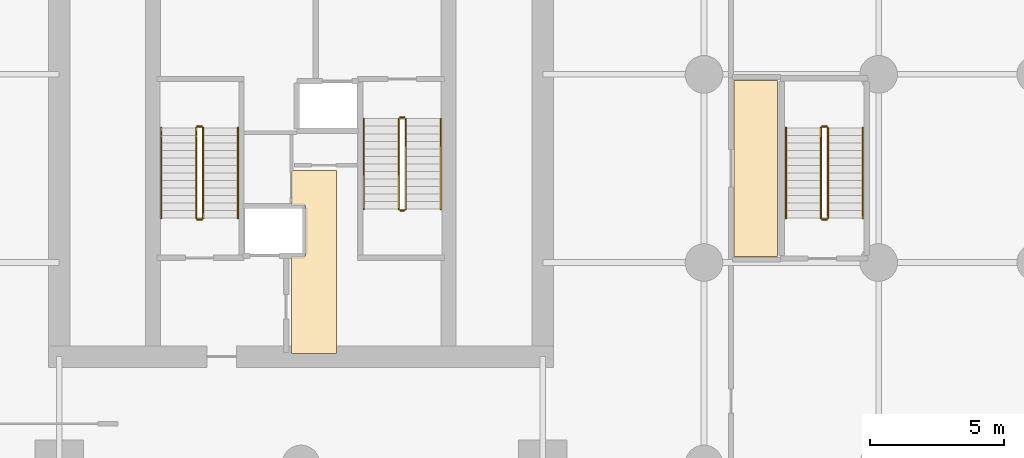
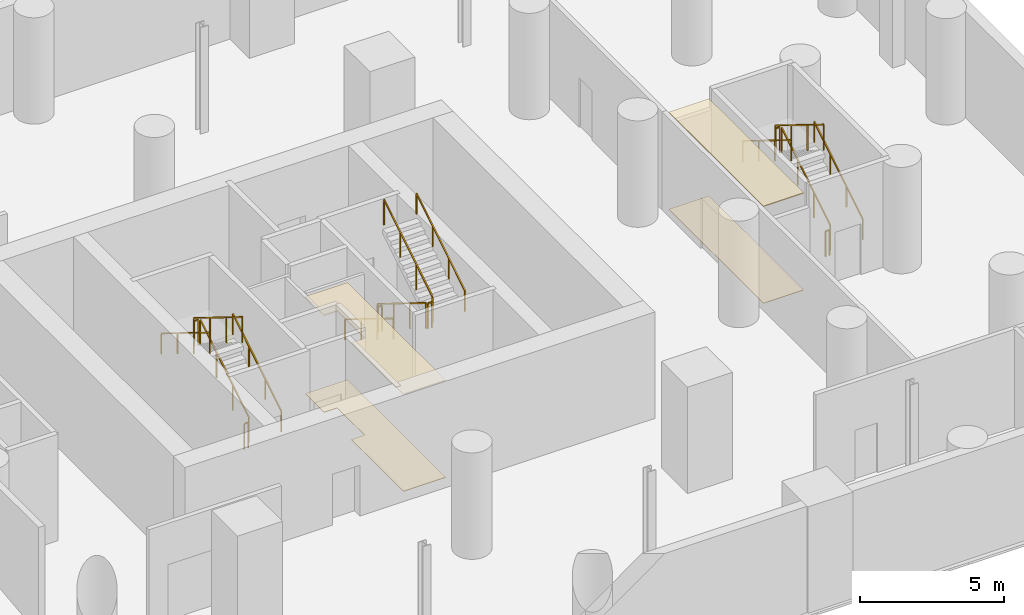
# One storey, part 8 of 8: 18 railings, 4 coverings.
"""IFC4 building model written with IfcOpenShell, lengths in metres."""

from ifc_helpers import new_model, si_unit, direction, frame, origin, origin_2d, place, context, subcontext, project, spatial, polyline, rectangle, outline, extrude, material, layer, layer_set, type_object, element, save


model = new_model("IFC4")

# Units and contexts
model_context = context("Model", 3, precision=1e-05, world=origin(), true_north=direction((0.0, 1.0)))
body_context = subcontext(model_context, "Body", "Model", "MODEL_VIEW")
ifc_project = project(units=[si_unit("LENGTHUNIT", "METRE"), si_unit("AREAUNIT", "SQUARE_METRE"), si_unit("VOLUMEUNIT", "CUBIC_METRE"), si_unit("PLANEANGLEUNIT", "RADIAN"), si_unit("MASSUNIT", "GRAM", prefix="KILO")], contexts=[model_context])

# Site, building, storey
site_placement = place(None, origin())
site = spatial("IfcSite", under=ifc_project, at=site_placement, CompositionType="ELEMENT")
building_placement = place(site_placement, origin())
building = spatial("IfcBuilding", under=site, at=building_placement, Name="Veldorim Arch Residences", CompositionType="ELEMENT")
storey_placement = place(building_placement, frame((0.0, 0.0, -4.5)))
storey = spatial("IfcBuildingStorey", under=building, at=storey_placement, Name="B1", CompositionType="ELEMENT", Elevation=-4.5)

# Railings
ifc_material_1 = material(Name="Steel S355", Category="steel")
railing_type_1 = type_object("IfcRailingType", Name="Galvanised Steel Stair Safety Guardrail 1100", PredefinedType="GUARDRAIL", material=ifc_material_1)
railing_1_placement = place(storey_placement, frame((28.360107421875, 22.14990234375, 0.173095703125)))
element("IfcRailing", 1, at=railing_1_placement, inside=storey, type_object=railing_type_1, Name="B1 ST-1 stair guard 1", PredefinedType="GUARDRAIL", context=body_context, shape_type="SweptSolid", body=[
    extrude(rectangle(XDim=0.048095703125, YDim=0.048095703125, at=origin_2d()), frame((0.0, 0.0, 1.076171875), z_axis=(0.0, 0.850623216509, 0.525775754039), x_axis=(-1.0, 0.0, 0.0)), (0.0, 0.0, 1.0), 3.9501953125),
    extrude(rectangle(XDim=0.0419921875, YDim=0.0419921875, at=origin_2d()), origin(), (0.0, 0.0, 1.0), 1.052001953125),
    extrude(rectangle(XDim=0.0419921875, YDim=0.0419921875, at=origin_2d()), frame((0.0, 1.1201171875, 0.6923828125)), (0.0, 0.0, 1.0), 1.052001953125),
    extrude(rectangle(XDim=0.0419921875, YDim=0.0419921875, at=origin_2d()), frame((0.0, 2.239990234375, 1.384521484375)), (0.0, 0.0, 1.0), 1.052001953125),
    extrude(rectangle(XDim=0.0419921875, YDim=0.0419921875, at=origin_2d()), frame((0.0, 3.360107421875, 2.076904296875)), (0.0, 0.0, 1.0), 1.052001953125),
])
railing_2_placement = place(storey_placement, frame((28.31005859375, 25.56005859375, 2.25)))
element("IfcRailing", 2, at=railing_2_placement, inside=storey, type_object=railing_type_1, Name="B1 ST-1 stair guard 2", PredefinedType="GUARDRAIL", context=body_context, shape_type="SweptSolid", body=[
    extrude(rectangle(XDim=0.048095703125, YDim=0.048095703125, at=origin_2d()), frame((0.0, 0.0, 1.076171875), z_axis=(-1.0, 0.0, 0.0), x_axis=(0.0, -1.0, 0.0)), (0.0, 0.0, 1.0), 0.16015625),
    extrude(rectangle(XDim=0.0419921875, YDim=0.0419921875, at=origin_2d()), origin(), (0.0, 0.0, 1.0), 1.052001953125),
    extrude(rectangle(XDim=0.0419921875, YDim=0.0419921875, at=origin_2d()), frame((-0.16015625, 0.0, 0.0)), (0.0, 0.0, 1.0), 1.052001953125),
])
railing_3_placement = place(storey_placement, frame((28.10009765625, 25.510009765625, 2.423095703125)))
element("IfcRailing", 3, at=railing_3_placement, inside=storey, type_object=railing_type_1, Name="B1 ST-1 stair guard 3", PredefinedType="GUARDRAIL", context=body_context, shape_type="SweptSolid", body=[
    extrude(rectangle(XDim=0.048095703125, YDim=0.048095703125, at=origin_2d()), frame((0.0, 0.0, 1.076171875), z_axis=(0.0, -0.850623216509, 0.525775754039), x_axis=(1.0, 0.0, 0.0)), (0.0, 0.0, 1.0), 3.9501953125),
    extrude(rectangle(XDim=0.0419921875, YDim=0.0419921875, at=origin_2d()), origin(), (0.0, 0.0, 1.0), 1.052001953125),
    extrude(rectangle(XDim=0.0419921875, YDim=0.0419921875, at=origin_2d()), frame((0.0, -1.1201171875, 0.6923828125)), (0.0, 0.0, 1.0), 1.052001953125),
    extrude(rectangle(XDim=0.0419921875, YDim=0.0419921875, at=origin_2d()), frame((0.0, -2.239990234375, 1.384521484375)), (0.0, 0.0, 1.0), 1.052001953125),
    extrude(rectangle(XDim=0.0419921875, YDim=0.0419921875, at=origin_2d()), frame((0.0, -3.360107421875, 2.076904296875)), (0.0, 0.0, 1.0), 1.052001953125),
])
railing_4_placement = place(storey_placement, frame((28.31005859375, 22.10009765625, 0.0)))
element("IfcRailing", 4, at=railing_4_placement, inside=storey, type_object=railing_type_1, Name="B1 ST-1 stair guard 4", PredefinedType="GUARDRAIL", context=body_context, shape_type="SweptSolid", body=[
    extrude(rectangle(XDim=0.048095703125, YDim=0.048095703125, at=origin_2d()), frame((0.0, 0.0, 1.076171875), z_axis=(-1.0, 0.0, 0.0), x_axis=(0.0, -1.0, 0.0)), (0.0, 0.0, 1.0), 0.16015625),
    extrude(rectangle(XDim=0.0419921875, YDim=0.0419921875, at=origin_2d()), origin(), (0.0, 0.0, 1.0), 1.052001953125),
    extrude(rectangle(XDim=0.0419921875, YDim=0.0419921875, at=origin_2d()), frame((-0.16015625, 0.0, 0.0)), (0.0, 0.0, 1.0), 1.052001953125),
])
railing_5_placement = place(storey_placement, frame((35.639892578125, 25.85009765625, 0.173095703125)))
element("IfcRailing", 5, at=railing_5_placement, inside=storey, type_object=railing_type_1, Name="B1 ST-2 stair guard 1", PredefinedType="GUARDRAIL", context=body_context, shape_type="SweptSolid", body=[
    extrude(rectangle(XDim=0.048095703125, YDim=0.048095703125, at=origin_2d()), frame((0.0, 0.0, 1.076171875), z_axis=(0.0, -0.850623216509, 0.525775754039), x_axis=(1.0, 0.0, 0.0)), (0.0, 0.0, 1.0), 3.9501953125),
    extrude(rectangle(XDim=0.0419921875, YDim=0.0419921875, at=origin_2d()), origin(), (0.0, 0.0, 1.0), 1.052001953125),
    extrude(rectangle(XDim=0.0419921875, YDim=0.0419921875, at=origin_2d()), frame((0.0, -1.1201171875, 0.6923828125)), (0.0, 0.0, 1.0), 1.052001953125),
    extrude(rectangle(XDim=0.0419921875, YDim=0.0419921875, at=origin_2d()), frame((0.0, -2.239990234375, 1.384521484375)), (0.0, 0.0, 1.0), 1.052001953125),
    extrude(rectangle(XDim=0.0419921875, YDim=0.0419921875, at=origin_2d()), frame((0.0, -3.360107421875, 2.076904296875)), (0.0, 0.0, 1.0), 1.052001953125),
])
railing_6_placement = place(storey_placement, frame((35.68994140625, 22.43994140625, 2.25)))
element("IfcRailing", 6, at=railing_6_placement, inside=storey, type_object=railing_type_1, Name="B1 ST-2 stair guard 2", PredefinedType="GUARDRAIL", context=body_context, shape_type="SweptSolid", body=[
    extrude(rectangle(XDim=0.048095703125, YDim=0.048095703125, at=origin_2d()), frame((0.0, 0.0, 1.076171875), z_axis=(1.0, 0.0, 0.0), x_axis=(0.0, 1.0, 0.0)), (0.0, 0.0, 1.0), 0.16015625),
    extrude(rectangle(XDim=0.0419921875, YDim=0.0419921875, at=origin_2d()), origin(), (0.0, 0.0, 1.0), 1.052001953125),
    extrude(rectangle(XDim=0.0419921875, YDim=0.0419921875, at=origin_2d()), frame((0.16015625, 0.0, 0.0)), (0.0, 0.0, 1.0), 1.052001953125),
])
railing_7_placement = place(storey_placement, frame((35.89990234375, 22.489990234375, 2.423095703125)))
element("IfcRailing", 7, at=railing_7_placement, inside=storey, type_object=railing_type_1, Name="B1 ST-2 stair guard 3", PredefinedType="GUARDRAIL", context=body_context, shape_type="SweptSolid", body=[
    extrude(rectangle(XDim=0.048095703125, YDim=0.048095703125, at=origin_2d()), frame((0.0, 0.0, 1.076171875), z_axis=(0.0, 0.850623216509, 0.525775754039), x_axis=(-1.0, 0.0, 0.0)), (0.0, 0.0, 1.0), 3.9501953125),
    extrude(rectangle(XDim=0.0419921875, YDim=0.0419921875, at=origin_2d()), origin(), (0.0, 0.0, 1.0), 1.052001953125),
    extrude(rectangle(XDim=0.0419921875, YDim=0.0419921875, at=origin_2d()), frame((0.0, 1.1201171875, 0.6923828125)), (0.0, 0.0, 1.0), 1.052001953125),
    extrude(rectangle(XDim=0.0419921875, YDim=0.0419921875, at=origin_2d()), frame((0.0, 2.239990234375, 1.384521484375)), (0.0, 0.0, 1.0), 1.052001953125),
    extrude(rectangle(XDim=0.0419921875, YDim=0.0419921875, at=origin_2d()), frame((0.0, 3.360107421875, 2.076904296875)), (0.0, 0.0, 1.0), 1.052001953125),
])
railing_8_placement = place(storey_placement, frame((35.68994140625, 25.89990234375, 0.0)))
element("IfcRailing", 8, at=railing_8_placement, inside=storey, type_object=railing_type_1, Name="B1 ST-2 stair guard 4", PredefinedType="GUARDRAIL", context=body_context, shape_type="SweptSolid", body=[
    extrude(rectangle(XDim=0.048095703125, YDim=0.048095703125, at=origin_2d()), frame((0.0, 0.0, 1.076171875), z_axis=(1.0, 0.0, 0.0), x_axis=(0.0, 1.0, 0.0)), (0.0, 0.0, 1.0), 0.16015625),
    extrude(rectangle(XDim=0.0419921875, YDim=0.0419921875, at=origin_2d()), origin(), (0.0, 0.0, 1.0), 1.052001953125),
    extrude(rectangle(XDim=0.0419921875, YDim=0.0419921875, at=origin_2d()), frame((0.16015625, 0.0, 0.0)), (0.0, 0.0, 1.0), 1.052001953125),
])
railing_9_placement = place(storey_placement, frame((51.610107421875, 22.14990234375, 0.173095703125)))
element("IfcRailing", 9, at=railing_9_placement, inside=storey, type_object=railing_type_1, Name="B1 ST-3 stair guard 1", PredefinedType="GUARDRAIL", context=body_context, shape_type="SweptSolid", body=[
    extrude(rectangle(XDim=0.048095703125, YDim=0.048095703125, at=origin_2d()), frame((0.0, 0.0, 1.076171875), z_axis=(0.0, 0.850623216509, 0.525775754039), x_axis=(-1.0, 0.0, 0.0)), (0.0, 0.0, 1.0), 3.9501953125),
    extrude(rectangle(XDim=0.0419921875, YDim=0.0419921875, at=origin_2d()), origin(), (0.0, 0.0, 1.0), 1.052001953125),
    extrude(rectangle(XDim=0.0419921875, YDim=0.0419921875, at=origin_2d()), frame((0.0, 1.1201171875, 0.6923828125)), (0.0, 0.0, 1.0), 1.052001953125),
    extrude(rectangle(XDim=0.0419921875, YDim=0.0419921875, at=origin_2d()), frame((0.0, 2.239990234375, 1.384521484375)), (0.0, 0.0, 1.0), 1.052001953125),
    extrude(rectangle(XDim=0.0419921875, YDim=0.0419921875, at=origin_2d()), frame((0.0, 3.360107421875, 2.076904296875)), (0.0, 0.0, 1.0), 1.052001953125),
])
railing_10_placement = place(storey_placement, frame((51.56005859375, 25.56005859375, 2.25)))
element("IfcRailing", 10, at=railing_10_placement, inside=storey, type_object=railing_type_1, Name="B1 ST-3 stair guard 2", PredefinedType="GUARDRAIL", context=body_context, shape_type="SweptSolid", body=[
    extrude(rectangle(XDim=0.048095703125, YDim=0.048095703125, at=origin_2d()), frame((0.0, 0.0, 1.076171875), z_axis=(-1.0, 0.0, 0.0), x_axis=(0.0, -1.0, 0.0)), (0.0, 0.0, 1.0), 0.16015625),
    extrude(rectangle(XDim=0.0419921875, YDim=0.0419921875, at=origin_2d()), origin(), (0.0, 0.0, 1.0), 1.052001953125),
    extrude(rectangle(XDim=0.0419921875, YDim=0.0419921875, at=origin_2d()), frame((-0.16015625, 0.0, 0.0)), (0.0, 0.0, 1.0), 1.052001953125),
])
railing_11_placement = place(storey_placement, frame((51.35009765625, 25.510009765625, 2.423095703125)))
element("IfcRailing", 11, at=railing_11_placement, inside=storey, type_object=railing_type_1, Name="B1 ST-3 stair guard 3", PredefinedType="GUARDRAIL", context=body_context, shape_type="SweptSolid", body=[
    extrude(rectangle(XDim=0.048095703125, YDim=0.048095703125, at=origin_2d()), frame((0.0, 0.0, 1.076171875), z_axis=(0.0, -0.850623216509, 0.525775754039), x_axis=(1.0, 0.0, 0.0)), (0.0, 0.0, 1.0), 3.9501953125),
    extrude(rectangle(XDim=0.0419921875, YDim=0.0419921875, at=origin_2d()), origin(), (0.0, 0.0, 1.0), 1.052001953125),
    extrude(rectangle(XDim=0.0419921875, YDim=0.0419921875, at=origin_2d()), frame((0.0, -1.1201171875, 0.6923828125)), (0.0, 0.0, 1.0), 1.052001953125),
    extrude(rectangle(XDim=0.0419921875, YDim=0.0419921875, at=origin_2d()), frame((0.0, -2.239990234375, 1.384521484375)), (0.0, 0.0, 1.0), 1.052001953125),
    extrude(rectangle(XDim=0.0419921875, YDim=0.0419921875, at=origin_2d()), frame((0.0, -3.360107421875, 2.076904296875)), (0.0, 0.0, 1.0), 1.052001953125),
])
railing_12_placement = place(storey_placement, frame((51.56005859375, 22.10009765625, 0.0)))
element("IfcRailing", 12, at=railing_12_placement, inside=storey, type_object=railing_type_1, Name="B1 ST-3 stair guard 4", PredefinedType="GUARDRAIL", context=body_context, shape_type="SweptSolid", body=[
    extrude(rectangle(XDim=0.048095703125, YDim=0.048095703125, at=origin_2d()), frame((0.0, 0.0, 1.076171875), z_axis=(-1.0, 0.0, 0.0), x_axis=(0.0, -1.0, 0.0)), (0.0, 0.0, 1.0), 0.16015625),
    extrude(rectangle(XDim=0.0419921875, YDim=0.0419921875, at=origin_2d()), origin(), (0.0, 0.0, 1.0), 1.052001953125),
    extrude(rectangle(XDim=0.0419921875, YDim=0.0419921875, at=origin_2d()), frame((-0.16015625, 0.0, 0.0)), (0.0, 0.0, 1.0), 1.052001953125),
])

# Coverings
ifc_material_2 = material(Name="Acoustic Gypsum & Mineral Fibre", Category="gypsum")
ifc_layer_1 = layer(ifc_material_2, 0.034912109375, Name="Perforated Acoustic Mineral-Fibre Ceiling 35")
ifc_layer_set_1 = layer_set([ifc_layer_1], Name="Acoustic Gypsum & Mineral Fibre")
covering_type_1 = type_object("IfcCoveringType", Name="Perforated Acoustic Mineral-Fibre Ceiling 35", PredefinedType="CEILING", material=ifc_layer_set_1)
covering_1_placement = place(storey_placement, frame((0.0, 0.0, 4.094970703125)))
element("IfcCovering", 13, at=covering_1_placement, inside=storey, type_object=covering_type_1, Name="B1 acoustic suspended ceiling 01", PredefinedType="CEILING", context=body_context, shape_type="SweptSolid", body=[
    extrude(outline(polyline([(33.330078125, 23.929931640625), (33.330078125, 17.1201171875), (31.639892578125, 17.1201171875), (31.639892578125, 20.735107421875), (32.169921875, 20.735107421875), (32.169921875, 22.625), (31.639892578125, 22.625), (31.639892578125, 23.929931640625), (33.330078125, 23.929931640625)])), origin(), (0.0, 0.0, 1.0), 0.034912109375),
])
covering_2_placement = place(storey_placement, frame((0.0, 0.0, 4.094970703125)))
element("IfcCovering", 14, at=covering_2_placement, inside=storey, type_object=covering_type_1, Name="B1 acoustic suspended ceiling 02", PredefinedType="CEILING", context=body_context, shape_type="SweptSolid", body=[
    extrude(outline(polyline([(49.72998046875, 20.719970703125), (48.1201171875, 20.719970703125), (48.1201171875, 27.280029296875), (49.72998046875, 27.280029296875), (49.72998046875, 20.719970703125)])), origin(), (0.0, 0.0, 1.0), 0.034912109375),
])
ifc_material_3 = material(Name="Porcelain Ceramic Tile", Category="ceramic")
ifc_layer_2 = layer(ifc_material_3, 0.02001953125, Name="Slip-Resistant Porcelain & Vinyl Floor Finish 20")
ifc_layer_set_2 = layer_set([ifc_layer_2], Name="Porcelain Ceramic Tile")
covering_type_2 = type_object("IfcCoveringType", Name="Slip-Resistant Porcelain & Vinyl Floor Finish 20", PredefinedType="FLOORING", material=ifc_layer_set_2)
covering_3_placement = place(storey_placement, origin())
element("IfcCovering", 15, at=covering_3_placement, inside=storey, type_object=covering_type_2, Name="B1 porcelain floor finish 01", PredefinedType="FLOORING", context=body_context, shape_type="SweptSolid", body=[
    extrude(outline(polyline([(33.330078125, 23.929931640625), (33.330078125, 17.1201171875), (31.639892578125, 17.1201171875), (31.639892578125, 20.735107421875), (32.169921875, 20.735107421875), (32.169921875, 22.625), (31.639892578125, 22.625), (31.639892578125, 23.929931640625), (33.330078125, 23.929931640625)])), origin(), (0.0, 0.0, 1.0), 0.02001953125),
])
covering_4_placement = place(storey_placement, origin())
element("IfcCovering", 16, at=covering_4_placement, inside=storey, type_object=covering_type_2, Name="B1 porcelain floor finish 02", PredefinedType="FLOORING", context=body_context, shape_type="SweptSolid", body=[
    extrude(outline(polyline([(49.72998046875, 20.719970703125), (48.1201171875, 20.719970703125), (48.1201171875, 27.280029296875), (49.72998046875, 27.280029296875), (49.72998046875, 20.719970703125)])), origin(), (0.0, 0.0, 1.0), 0.02001953125),
])

# Railings
ifc_material_4 = material(Name="Stainless Steel", Category="steel")
railing_type_2 = type_object("IfcRailingType", Name="Tubular Steel Continuous Wall Handrail 900", PredefinedType="HANDRAIL", material=ifc_material_4)
railing_13_placement = place(storey_placement, frame((29.659912109375, 22.14990234375, 0.173095703125)))
element("IfcRailing", 17, at=railing_13_placement, inside=storey, type_object=railing_type_2, Name="B1 ST-1 stair handrail 1", PredefinedType="HANDRAIL", context=body_context, shape_type="SweptSolid", body=[
    extrude(rectangle(XDim=0.048095703125, YDim=0.048095703125, at=origin_2d()), frame((0.0, 0.0, 0.8759765625), z_axis=(0.0, 0.850623216509, 0.525775754039), x_axis=(-1.0, 0.0, 0.0)), (0.0, 0.0, 1.0), 3.9501953125),
    extrude(rectangle(XDim=0.0419921875, YDim=0.0419921875, at=origin_2d()), origin(), (0.0, 0.0, 1.0), 0.851806640625),
    extrude(rectangle(XDim=0.0419921875, YDim=0.0419921875, at=origin_2d()), frame((0.0, 1.1201171875, 0.6923828125)), (0.0, 0.0, 1.0), 0.851806640625),
    extrude(rectangle(XDim=0.0419921875, YDim=0.0419921875, at=origin_2d()), frame((0.0, 2.239990234375, 1.384521484375)), (0.0, 0.0, 1.0), 0.851806640625),
    extrude(rectangle(XDim=0.0419921875, YDim=0.0419921875, at=origin_2d()), frame((0.0, 3.360107421875, 2.076904296875)), (0.0, 0.0, 1.0), 0.851806640625),
])
for number, where, name in (
    (18, (26.800048828125, 25.510009765625, 2.423095703125), "B1 ST-1 stair handrail 2"),
    (19, (34.340087890625, 25.85009765625, 0.173095703125), "B1 ST-2 stair handrail 1"),
):
    element("IfcRailing", number, at=place(storey_placement, frame(where)), inside=storey, type_object=railing_type_2, Name=name, PredefinedType="HANDRAIL", context=body_context, shape_type="SweptSolid", body=[
        extrude(rectangle(XDim=0.048095703125, YDim=0.048095703125, at=origin_2d()), frame((0.0, 0.0, 0.8759765625), z_axis=(0.0, -0.850623216509, 0.525775754039), x_axis=(1.0, 0.0, 0.0)), (0.0, 0.0, 1.0), 3.9501953125),
        extrude(rectangle(XDim=0.0419921875, YDim=0.0419921875, at=origin_2d()), origin(), (0.0, 0.0, 1.0), 0.851806640625),
        extrude(rectangle(XDim=0.0419921875, YDim=0.0419921875, at=origin_2d()), frame((0.0, -1.1201171875, 0.6923828125)), (0.0, 0.0, 1.0), 0.851806640625),
        extrude(rectangle(XDim=0.0419921875, YDim=0.0419921875, at=origin_2d()), frame((0.0, -2.239990234375, 1.384521484375)), (0.0, 0.0, 1.0), 0.851806640625),
        extrude(rectangle(XDim=0.0419921875, YDim=0.0419921875, at=origin_2d()), frame((0.0, -3.360107421875, 2.076904296875)), (0.0, 0.0, 1.0), 0.851806640625),
    ])
for number, where, name in (
    (20, (37.199951171875, 22.489990234375, 2.423095703125), "B1 ST-2 stair handrail 2"),
    (21, (52.909912109375, 22.14990234375, 0.173095703125), "B1 ST-3 stair handrail 1"),
):
    element("IfcRailing", number, at=place(storey_placement, frame(where)), inside=storey, type_object=railing_type_2, Name=name, PredefinedType="HANDRAIL", context=body_context, shape_type="SweptSolid", body=[
        extrude(rectangle(XDim=0.048095703125, YDim=0.048095703125, at=origin_2d()), frame((0.0, 0.0, 0.8759765625), z_axis=(0.0, 0.850623216509, 0.525775754039), x_axis=(-1.0, 0.0, 0.0)), (0.0, 0.0, 1.0), 3.9501953125),
        extrude(rectangle(XDim=0.0419921875, YDim=0.0419921875, at=origin_2d()), origin(), (0.0, 0.0, 1.0), 0.851806640625),
        extrude(rectangle(XDim=0.0419921875, YDim=0.0419921875, at=origin_2d()), frame((0.0, 1.1201171875, 0.6923828125)), (0.0, 0.0, 1.0), 0.851806640625),
        extrude(rectangle(XDim=0.0419921875, YDim=0.0419921875, at=origin_2d()), frame((0.0, 2.239990234375, 1.384521484375)), (0.0, 0.0, 1.0), 0.851806640625),
        extrude(rectangle(XDim=0.0419921875, YDim=0.0419921875, at=origin_2d()), frame((0.0, 3.360107421875, 2.076904296875)), (0.0, 0.0, 1.0), 0.851806640625),
    ])
railing_14_placement = place(storey_placement, frame((50.050048828125, 25.510009765625, 2.423095703125)))
element("IfcRailing", 22, at=railing_14_placement, inside=storey, type_object=railing_type_2, Name="B1 ST-3 stair handrail 2", PredefinedType="HANDRAIL", context=body_context, shape_type="SweptSolid", body=[
    extrude(rectangle(XDim=0.048095703125, YDim=0.048095703125, at=origin_2d()), frame((0.0, 0.0, 0.8759765625), z_axis=(0.0, -0.850623216509, 0.525775754039), x_axis=(1.0, 0.0, 0.0)), (0.0, 0.0, 1.0), 3.9501953125),
    extrude(rectangle(XDim=0.0419921875, YDim=0.0419921875, at=origin_2d()), origin(), (0.0, 0.0, 1.0), 0.851806640625),
    extrude(rectangle(XDim=0.0419921875, YDim=0.0419921875, at=origin_2d()), frame((0.0, -1.1201171875, 0.6923828125)), (0.0, 0.0, 1.0), 0.851806640625),
    extrude(rectangle(XDim=0.0419921875, YDim=0.0419921875, at=origin_2d()), frame((0.0, -2.239990234375, 1.384521484375)), (0.0, 0.0, 1.0), 0.851806640625),
    extrude(rectangle(XDim=0.0419921875, YDim=0.0419921875, at=origin_2d()), frame((0.0, -3.360107421875, 2.076904296875)), (0.0, 0.0, 1.0), 0.851806640625),
])

save(model, "model.ifc")
